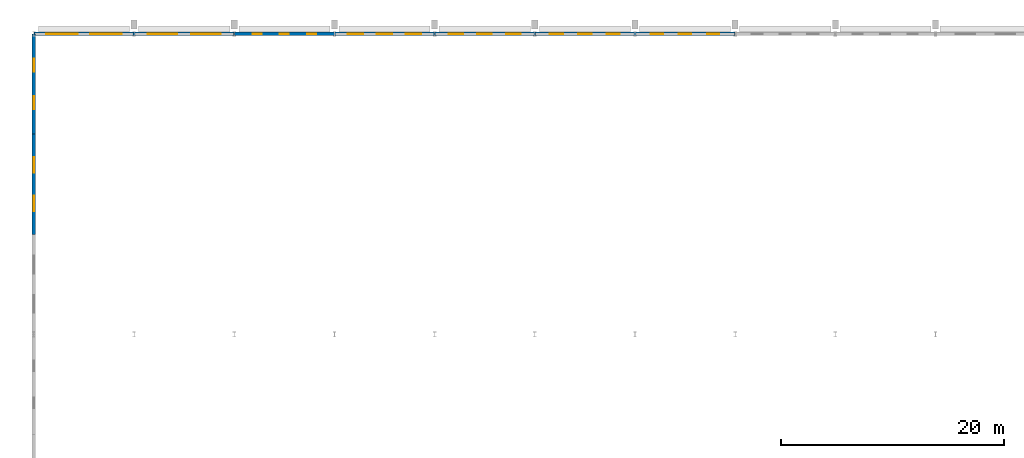
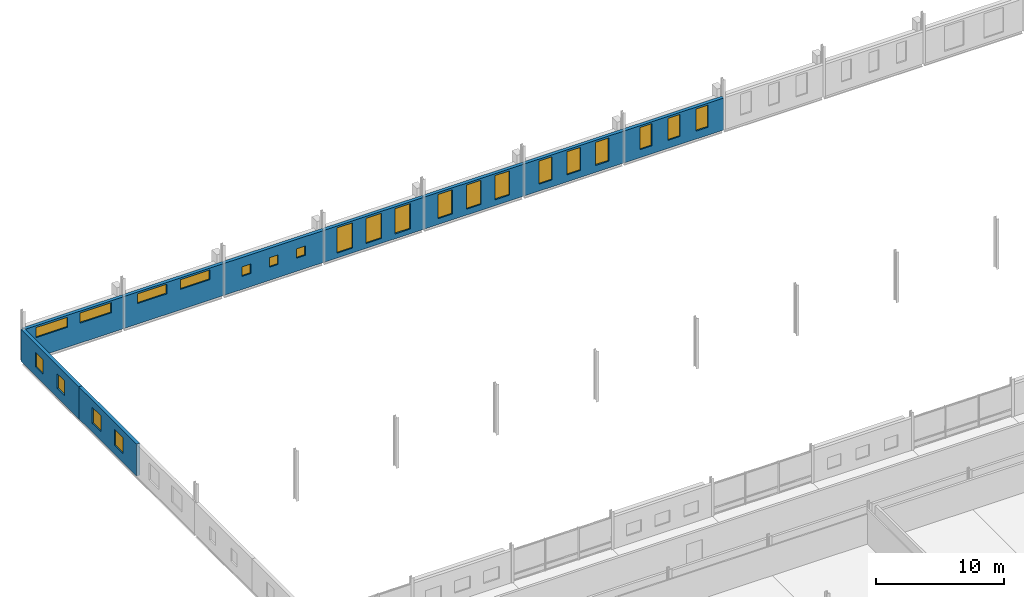
# One storey, part 115 of 132: 23 windows, 9 walls, 23 openings.
"""IFC4 building model written with IfcOpenShell, lengths in metres."""

import ifcopenshell
import ifcopenshell.guid

model = None  # the IFC model being written
_history = None  # IfcOwnerHistory: only IFC2X3 demands one
_inside = {}  # id of a spatial element -> (the spatial element, [elements in it])
_under = {}  # id of a project, library or spatial element -> (it, [spatial elements below it])
_declared = {}  # id of a project -> (the project, [libraries it declares])
_typed = {}  # id of a type object -> (the type object, [elements of that type])
_made_of = {}  # id of a material, layer set ... -> (it, [elements and type objects made of it])


def new_model(schema):
    """Start an empty IFC model of exactly this schema.

    Asked for "IFC4X3", IfcOpenShell would pick the latest addendum, in which some entities
    have other attributes; the version numbers below select the first issue.
    IFC2X3 requires an IfcOwnerHistory on every rooted entity: one is made here for all.
    """
    global model, _history
    if schema == "IFC4X3":
        model = ifcopenshell.file(schema_version=(4, 3, 0, 0))
    else:
        model = ifcopenshell.file(schema=schema)
    _inside.clear()
    _under.clear()
    _declared.clear()
    _typed.clear()
    _made_of.clear()
    _history = None
    if model.schema == "IFC2X3":
        org = make("IfcOrganization", Name="unknown")
        user = make(
            "IfcPersonAndOrganization",
            ThePerson=make("IfcPerson", FamilyName="unknown"),
            TheOrganization=org,
        )
        app = make(
            "IfcApplication",
            ApplicationDeveloper=org,
            Version="unknown",
            ApplicationFullName="unknown",
            ApplicationIdentifier="unknown",
        )
        _history = make(
            "IfcOwnerHistory",
            OwningUser=user,
            OwningApplication=app,
            ChangeAction="ADDED",
            CreationDate=0,
        )
    return model


def make(cls, **values):
    """One entity of the class cls with the attributes given. An attribute that is None is left unset."""
    return model.create_entity(
        cls, **{name: value for name, value in values.items() if value is not None}
    )


def rooted(cls, **values):
    """An entity with a GlobalId (a new one), such as an element, a storey or a relation."""
    return make(cls, GlobalId=ifcopenshell.guid.new(), OwnerHistory=_history, **values)


def si_unit(unit_type, name, prefix=None):
    """IfcSIUnit, for example si_unit("LENGTHUNIT", "METRE", prefix="MILLI")."""
    return make("IfcSIUnit", UnitType=unit_type, Prefix=prefix, Name=name)


def assignment(units):
    """IfcUnitAssignment: the units of a project."""
    return None if units is None else make("IfcUnitAssignment", Units=units)


def point(xyz):
    """IfcCartesianPoint."""
    return None if xyz is None else make("IfcCartesianPoint", Coordinates=xyz)


def direction(xyz):
    """IfcDirection."""
    return None if xyz is None else make("IfcDirection", DirectionRatios=xyz)


def frame(location, z_axis=None, x_axis=None):
    """IfcAxis2Placement3D, a coordinate frame: its origin and axes. An axis left out is left unset."""
    return make(
        "IfcAxis2Placement3D",
        Location=point(location),
        Axis=direction(z_axis),
        RefDirection=direction(x_axis),
    )


def frame_2d(location, x_axis=None):
    """IfcAxis2Placement2D, a coordinate frame in the plane: its origin and x axis."""
    return make(
        "IfcAxis2Placement2D", Location=point(location), RefDirection=direction(x_axis)
    )


def origin():
    """The frame at (0, 0, 0) with its axes left unset."""
    return frame((0.0, 0.0, 0.0))


def place(relative_to, where):
    """IfcLocalPlacement: puts the frame where relative to a parent placement (None: the world)."""
    return make(
        "IfcLocalPlacement", PlacementRelTo=relative_to, RelativePlacement=where
    )


def context(
    kind, dimensions, precision=None, world=None, true_north=None, identifier=None
):
    """IfcGeometricRepresentationContext, for example the 3D "Model" context."""
    return make(
        "IfcGeometricRepresentationContext",
        ContextIdentifier=identifier,
        ContextType=kind,
        CoordinateSpaceDimension=dimensions,
        Precision=precision,
        WorldCoordinateSystem=world,
        TrueNorth=true_north,
    )


def subcontext(parent, identifier, kind, view, scale=None):
    """IfcGeometricRepresentationSubContext, for example "Body" below "Model"."""
    return make(
        "IfcGeometricRepresentationSubContext",
        ContextIdentifier=identifier,
        ContextType=kind,
        ParentContext=parent,
        TargetScale=scale,
        TargetView=view,
    )


def project(units=None, contexts=None):
    """IfcProject with its units and contexts."""
    return rooted(
        "IfcProject",
        Name="project",
        RepresentationContexts=contexts,
        UnitsInContext=assignment(units),
    )


def spatial(cls, under=None, at=None, **own):
    """A site, building, storey or space (cls), placed at a placement, below another one or the project."""
    s = rooted(cls, ObjectPlacement=at, **own)
    if under is not None:
        _under.setdefault(under.id(), (under, []))[1].append(s)
    return s


def profile(cls, at=None, kind="AREA", **sizes):
    """A parametric profile (cls). Its sizes go by their IFC names, for example OverallWidth=200.0."""
    return make(cls, ProfileType=kind, Position=at, **sizes)


def rectangle(**sizes):
    """IfcRectangleProfileDef."""
    return profile("IfcRectangleProfileDef", **sizes)


def extrude(swept, where, along, depth):
    """IfcExtrudedAreaSolid: the profile swept, set in the frame where, extruded along a direction by depth."""
    return make(
        "IfcExtrudedAreaSolid",
        SweptArea=swept,
        Position=where,
        ExtrudedDirection=direction(along),
        Depth=depth,
    )


def shape(context_of_items, identifier, shape_type, items):
    """IfcShapeRepresentation: the items that make up one representation, for example the "Body"."""
    return make(
        "IfcShapeRepresentation",
        ContextOfItems=context_of_items,
        RepresentationIdentifier=identifier,
        RepresentationType=shape_type,
        Items=items,
    )


def material(Name=None, Category=None):
    """IfcMaterial."""
    return make("IfcMaterial", Name=Name, Category=Category)


def layer(
    of_material, thickness, ventilated=None, Name=None, Category=None, Priority=None
):
    """IfcMaterialLayer: one layer of a wall or slab, of a material (None: an air gap)."""
    return make(
        "IfcMaterialLayer",
        Material=of_material,
        LayerThickness=thickness,
        IsVentilated=ventilated,
        Name=Name,
        Category=Category,
        Priority=Priority,
    )


def layer_set(layers, Name=None):
    """IfcMaterialLayerSet."""
    return make("IfcMaterialLayerSet", MaterialLayers=layers, LayerSetName=Name)


def made_of(thing, what):
    """Note that an element or type object is made of a material, layer set ...; save() writes the relation."""
    if what is not None:
        _made_of.setdefault(what.id(), (what, []))[1].append(thing)
    return thing


def type_object(cls, material=None, **own):
    """A type object (cls), such as IfcWallType, which elements share."""
    return made_of(rooted(cls, **own), material)


def element(
    cls,
    number,
    at=None,
    inside=None,
    cuts=None,
    type_object=None,
    material=None,
    context=None,
    identifier="Body",
    shape_type=None,
    held_by="IfcProductDefinitionShape",
    body=None,
    shapes=None,
    **own,
):
    """One element of the class cls, such as IfcWall. Its Tag is "e" and its number.

    at: its placement. inside: the storey or other place that contains it. cuts: it is an
    opening in that element (IfcRelVoidsElement). A single representation is given by context,
    identifier, shape_type and body (its items); several are given by shapes. held_by: the class
    of the entity that holds the representations. save() writes the other relations.
    """
    e = rooted(cls, Tag="e%d" % number, ObjectPlacement=at, **own)
    if body is not None:
        shapes = [shape(context, identifier, shape_type, body)]
    if shapes is not None:
        e.Representation = make(held_by, Representations=shapes)
    if inside is not None:
        _inside.setdefault(inside.id(), (inside, []))[1].append(e)
    if cuts is not None:
        rooted(
            "IfcRelVoidsElement", RelatingBuildingElement=cuts, RelatedOpeningElement=e
        )
    if type_object is not None:
        _typed.setdefault(type_object.id(), (type_object, []))[1].append(e)
    return made_of(e, material)


def fill(opening, filler):
    """IfcRelFillsElement: the door or window that sits in an opening."""
    return rooted(
        "IfcRelFillsElement",
        RelatingOpeningElement=opening,
        RelatedBuildingElement=filler,
    )


def aggregate(whole, parts):
    """IfcRelAggregates: a whole, such as a stair, and the parts it consists of."""
    return rooted("IfcRelAggregates", RelatingObject=whole, RelatedObjects=parts)


def save(model, path):
    """Write the relations noted so far, then the file.

    IfcRelAggregates (storeys below a building ...), IfcRelContainedInSpatialStructure (elements
    in a storey), IfcRelDefinesByType, IfcRelAssociatesMaterial and IfcRelDeclares: one each for
    every whole, place, type object, material and project.
    """
    for whole, parts in _under.values():
        aggregate(whole, parts)
    for where, things in _inside.values():
        rooted(
            "IfcRelContainedInSpatialStructure",
            RelatedElements=things,
            RelatingStructure=where,
        )
    for kind, things in _typed.values():
        rooted("IfcRelDefinesByType", RelatedObjects=things, RelatingType=kind)
    for what, things in _made_of.values():
        rooted("IfcRelAssociatesMaterial", RelatedObjects=things, RelatingMaterial=what)
    for by, libraries in _declared.values():
        rooted("IfcRelDeclares", RelatingContext=by, RelatedDefinitions=libraries)
    model.write(path)


model = new_model("IFC4")

# Units and contexts
model_context = context("Model", 3, precision=1e-05, world=origin(), true_north=direction((0.0, 1.0)))
body_context = subcontext(model_context, "Body", "Model", "MODEL_VIEW")
ifc_project = project(units=[si_unit("LENGTHUNIT", "METRE"), si_unit("AREAUNIT", "SQUARE_METRE"), si_unit("VOLUMEUNIT", "CUBIC_METRE"), si_unit("PLANEANGLEUNIT", "RADIAN"), si_unit("MASSUNIT", "GRAM", prefix="KILO")], contexts=[model_context])

# Site, building, storey
site_placement = place(None, origin())
site = spatial("IfcSite", under=ifc_project, at=site_placement, CompositionType="ELEMENT")
building_placement = place(site_placement, origin())
building = spatial("IfcBuilding", under=site, at=building_placement, Name="Tharagai Park Tramway Depot", CompositionType="ELEMENT")
storey_placement = place(building_placement, frame((0.0, 0.0, 4.800048828125)))
storey = spatial("IfcBuildingStorey", under=building, at=storey_placement, Name="L01", CompositionType="ELEMENT", Elevation=4.800048828125)

# Wall, openings, windows
ifc_material_1 = material(Name="Pressed clay brick", Category="masonry")
ifc_layer = layer(ifc_material_1, 0.300048828125)
ifc_layer_set = layer_set([ifc_layer], Name="Pressed clay brick")
wall_type = type_object("IfcWallType", Name="EW-08", PredefinedType="SOLIDWALL", material=ifc_layer_set)
wall_1_placement = place(storey_placement, frame((0.00390625, 144.0, 0.0), z_axis=(0.0, 0.0, 1.0), x_axis=(1.0, 0.0, 0.0)))
wall_1 = element("IfcWall", 1, at=wall_1_placement, inside=storey, type_object=wall_type, Name="L01 V1 Exterior Masonry Wall EW-08", PredefinedType="SOLIDWALL", context=body_context, shape_type="SweptSolid", body=[
    extrude(rectangle(XDim=8.9921875, YDim=0.300048828125, at=frame_2d((4.49609375, 0.0))), origin(), (0.0, 0.0, 1.0), 3.0419921875),
])
opening_1_placement = place(wall_1_placement, frame((1.096923828125, 0.0, 1.89990234375)))
opening_1 = element("IfcOpeningElement", 2, at=opening_1_placement, cuts=wall_1, Name="Opening WN-14", PredefinedType="OPENING", context=body_context, shape_type="SweptSolid", body=[
    extrude(rectangle(XDim=2.85009765625, YDim=0.9599609375, at=frame_2d((1.425048828125, 0.47998046875))), frame((0.0, 0.159912109375, 0.0), z_axis=(0.0, -1.0, 0.0), x_axis=(1.0, 0.0, 0.0)), (0.0, 0.0, 1.0), 0.320068359375),
])
opening_2_placement = place(wall_1_placement, frame((5.044921875, 0.0, 1.89990234375)))
opening_2 = element("IfcOpeningElement", 3, at=opening_2_placement, cuts=wall_1, Name="Opening WN-14", PredefinedType="OPENING", context=body_context, shape_type="SweptSolid", body=[
    extrude(rectangle(XDim=2.85009765625, YDim=0.9599609375, at=frame_2d((1.425048828125, 0.47998046875))), frame((0.0, 0.159912109375, 0.0), z_axis=(0.0, -1.0, 0.0), x_axis=(1.0, 0.0, 0.0)), (0.0, 0.0, 1.0), 0.320068359375),
])
ifc_material_2 = material(Name="Laminated solar-control glass", Category="glass")
window_type_1 = type_object("IfcWindowType", Name="WN-14", PartitioningType="SINGLE_PANEL", PredefinedType="WINDOW", material=ifc_material_2)
window_1_placement = place(opening_1_placement, origin())
window_1 = element("IfcWindow", 4, at=window_1_placement, inside=storey, type_object=window_type_1, Name="L01 V1 Gothic Lancet Window WN-14", OverallHeight=0.9599609375, OverallWidth=2.85009765625, PartitioningType="SINGLE_PANEL", PredefinedType="WINDOW", context=body_context, shape_type="SweptSolid", body=[
    extrude(rectangle(XDim=2.85009765625, YDim=0.9599609375, at=frame_2d((1.425048828125, 0.47998046875))), frame((0.0, 0.030029296875, 0.0), z_axis=(0.0, -1.0, 0.0), x_axis=(1.0, 0.0, 0.0)), (0.0, 0.0, 1.0), 0.06005859375),
])
fill(opening_1, window_1)
window_2_placement = place(opening_2_placement, origin())
window_2 = element("IfcWindow", 5, at=window_2_placement, inside=storey, type_object=window_type_1, Name="L01 V1 Gothic Lancet Window WN-14", OverallHeight=0.9599609375, OverallWidth=2.85009765625, PartitioningType="SINGLE_PANEL", PredefinedType="WINDOW", context=body_context, shape_type="SweptSolid", body=[
    extrude(rectangle(XDim=2.85009765625, YDim=0.9599609375, at=frame_2d((1.425048828125, 0.47998046875))), frame((0.0, 0.030029296875, 0.0), z_axis=(0.0, -1.0, 0.0), x_axis=(1.0, 0.0, 0.0)), (0.0, 0.0, 1.0), 0.06005859375),
])
fill(opening_2, window_2)

wall_2_placement = place(storey_placement, frame((9.00390625, 144.0, 0.0), z_axis=(0.0, 0.0, 1.0), x_axis=(1.0, 0.0, 0.0)))
wall_2 = element("IfcWall", 6, at=wall_2_placement, inside=storey, type_object=wall_type, Name="L01 V1 Exterior Masonry Wall EW-08", PredefinedType="SOLIDWALL", context=body_context, shape_type="SweptSolid", body=[
    extrude(rectangle(XDim=8.9921875, YDim=0.300048828125, at=frame_2d((4.49609375, 0.0))), origin(), (0.0, 0.0, 1.0), 3.0419921875),
])
opening_3_placement = place(wall_2_placement, frame((1.23095703125, 0.0, 1.949951171875)))
opening_3 = element("IfcOpeningElement", 7, at=opening_3_placement, cuts=wall_2, Name="Opening WN-46", PredefinedType="OPENING", context=body_context, shape_type="SweptSolid", body=[
    extrude(rectangle(XDim=2.64990234375, YDim=0.919921875, at=frame_2d((1.324951171875, 0.4599609375))), frame((0.0, 0.159912109375, 0.0), z_axis=(0.0, -1.0, 0.0), x_axis=(1.0, 0.0, 0.0)), (0.0, 0.0, 1.0), 0.320068359375),
])
opening_4_placement = place(wall_2_placement, frame((5.111083984375, 0.0, 1.949951171875)))
opening_4 = element("IfcOpeningElement", 8, at=opening_4_placement, cuts=wall_2, Name="Opening WN-46", PredefinedType="OPENING", context=body_context, shape_type="SweptSolid", body=[
    extrude(rectangle(XDim=2.64990234375, YDim=0.919921875, at=frame_2d((1.324951171875, 0.4599609375))), frame((0.0, 0.159912109375, 0.0), z_axis=(0.0, -1.0, 0.0), x_axis=(1.0, 0.0, 0.0)), (0.0, 0.0, 1.0), 0.320068359375),
])
window_type_2 = type_object("IfcWindowType", Name="WN-46", PartitioningType="SINGLE_PANEL", PredefinedType="WINDOW", material=ifc_material_2)
window_3_placement = place(opening_3_placement, origin())
window_3 = element("IfcWindow", 9, at=window_3_placement, inside=storey, type_object=window_type_2, Name="L01 V1 Gothic Lancet Window WN-46", OverallHeight=0.919921875, OverallWidth=2.64990234375, PartitioningType="SINGLE_PANEL", PredefinedType="WINDOW", context=body_context, shape_type="SweptSolid", body=[
    extrude(rectangle(XDim=2.64990234375, YDim=0.919921875, at=frame_2d((1.324951171875, 0.4599609375))), frame((0.0, 0.030029296875, 0.0), z_axis=(0.0, -1.0, 0.0), x_axis=(1.0, 0.0, 0.0)), (0.0, 0.0, 1.0), 0.06005859375),
])
fill(opening_3, window_3)
window_4_placement = place(opening_4_placement, origin())
window_4 = element("IfcWindow", 10, at=window_4_placement, inside=storey, type_object=window_type_2, Name="L01 V1 Gothic Lancet Window WN-46", OverallHeight=0.919921875, OverallWidth=2.64990234375, PartitioningType="SINGLE_PANEL", PredefinedType="WINDOW", context=body_context, shape_type="SweptSolid", body=[
    extrude(rectangle(XDim=2.64990234375, YDim=0.919921875, at=frame_2d((1.324951171875, 0.4599609375))), frame((0.0, 0.030029296875, 0.0), z_axis=(0.0, -1.0, 0.0), x_axis=(1.0, 0.0, 0.0)), (0.0, 0.0, 1.0), 0.06005859375),
])
fill(opening_4, window_4)

wall_3_placement = place(storey_placement, frame((18.00390625, 144.0, 0.0), z_axis=(0.0, 0.0, 1.0), x_axis=(1.0, 0.0, 0.0)))
wall_3 = element("IfcWall", 11, at=wall_3_placement, inside=storey, type_object=wall_type, Name="L01 V1 Exterior Masonry Wall EW-08", PredefinedType="SOLIDWALL", context=body_context, shape_type="SweptSolid", body=[
    extrude(rectangle(XDim=8.9921875, YDim=0.300048828125, at=frame_2d((4.49609375, 0.0))), origin(), (0.0, 0.0, 1.0), 3.0419921875),
])
opening_5_placement = place(wall_3_placement, frame((1.64794921875, 0.0, 1.25)))
opening_5 = element("IfcOpeningElement", 12, at=opening_5_placement, cuts=wall_3, Name="Opening WN-30", PredefinedType="OPENING", context=body_context, shape_type="SweptSolid", body=[
    extrude(rectangle(XDim=0.800048828125, YDim=0.89990234375, at=frame_2d((0.39990234375, 0.449951171875))), frame((0.0, 0.159912109375, 0.0), z_axis=(0.0, -1.0, 0.0), x_axis=(1.0, 0.0, 0.0)), (0.0, 0.0, 1.0), 0.320068359375),
])
opening_6_placement = place(wall_3_placement, frame((4.095947265625, 0.0, 1.25)))
opening_6 = element("IfcOpeningElement", 13, at=opening_6_placement, cuts=wall_3, Name="Opening WN-30", PredefinedType="OPENING", context=body_context, shape_type="SweptSolid", body=[
    extrude(rectangle(XDim=0.800048828125, YDim=0.89990234375, at=frame_2d((0.39990234375, 0.449951171875))), frame((0.0, 0.159912109375, 0.0), z_axis=(0.0, -1.0, 0.0), x_axis=(1.0, 0.0, 0.0)), (0.0, 0.0, 1.0), 0.320068359375),
])
opening_7_placement = place(wall_3_placement, frame((6.5439453125, 0.0, 1.25)))
opening_7 = element("IfcOpeningElement", 14, at=opening_7_placement, cuts=wall_3, Name="Opening WN-30", PredefinedType="OPENING", context=body_context, shape_type="SweptSolid", body=[
    extrude(rectangle(XDim=0.800048828125, YDim=0.89990234375, at=frame_2d((0.39990234375, 0.449951171875))), frame((0.0, 0.159912109375, 0.0), z_axis=(0.0, -1.0, 0.0), x_axis=(1.0, 0.0, 0.0)), (0.0, 0.0, 1.0), 0.320068359375),
])
window_type_3 = type_object("IfcWindowType", Name="WN-30", PartitioningType="SINGLE_PANEL", PredefinedType="WINDOW", material=ifc_material_2)
window_5_placement = place(opening_5_placement, origin())
window_5 = element("IfcWindow", 15, at=window_5_placement, inside=storey, type_object=window_type_3, Name="L01 V1 Gothic Lancet Window WN-30", OverallHeight=0.89990234375, OverallWidth=0.800048828125, PartitioningType="SINGLE_PANEL", PredefinedType="WINDOW", context=body_context, shape_type="SweptSolid", body=[
    extrude(rectangle(XDim=0.800048828125, YDim=0.89990234375, at=frame_2d((0.39990234375, 0.449951171875))), frame((0.0, 0.030029296875, 0.0), z_axis=(0.0, -1.0, 0.0), x_axis=(1.0, 0.0, 0.0)), (0.0, 0.0, 1.0), 0.06005859375),
])
fill(opening_5, window_5)
window_6_placement = place(opening_6_placement, origin())
window_6 = element("IfcWindow", 16, at=window_6_placement, inside=storey, type_object=window_type_3, Name="L01 V1 Gothic Lancet Window WN-30", OverallHeight=0.89990234375, OverallWidth=0.800048828125, PartitioningType="SINGLE_PANEL", PredefinedType="WINDOW", context=body_context, shape_type="SweptSolid", body=[
    extrude(rectangle(XDim=0.800048828125, YDim=0.89990234375, at=frame_2d((0.39990234375, 0.449951171875))), frame((0.0, 0.030029296875, 0.0), z_axis=(0.0, -1.0, 0.0), x_axis=(1.0, 0.0, 0.0)), (0.0, 0.0, 1.0), 0.06005859375),
])
fill(opening_6, window_6)
window_7_placement = place(opening_7_placement, origin())
window_7 = element("IfcWindow", 17, at=window_7_placement, inside=storey, type_object=window_type_3, Name="L01 V1 Gothic Lancet Window WN-30", OverallHeight=0.89990234375, OverallWidth=0.800048828125, PartitioningType="SINGLE_PANEL", PredefinedType="WINDOW", context=body_context, shape_type="SweptSolid", body=[
    extrude(rectangle(XDim=0.800048828125, YDim=0.89990234375, at=frame_2d((0.39990234375, 0.449951171875))), frame((0.0, 0.030029296875, 0.0), z_axis=(0.0, -1.0, 0.0), x_axis=(1.0, 0.0, 0.0)), (0.0, 0.0, 1.0), 0.06005859375),
])
fill(opening_7, window_7)

wall_4_placement = place(storey_placement, frame((27.00390625, 144.0, 0.0), z_axis=(0.0, 0.0, 1.0), x_axis=(1.0, 0.0, 0.0)))
wall_4 = element("IfcWall", 18, at=wall_4_placement, inside=storey, type_object=wall_type, Name="L01 V1 Exterior Masonry Wall EW-08", PredefinedType="SOLIDWALL", context=body_context, shape_type="SweptSolid", body=[
    extrude(rectangle(XDim=8.9921875, YDim=0.300048828125, at=frame_2d((4.49609375, 0.0))), origin(), (0.0, 0.0, 1.0), 3.0419921875),
])
opening_8_placement = place(wall_4_placement, frame((1.197998046875, 0.0, 0.4599609375)))
opening_8 = element("IfcOpeningElement", 19, at=opening_8_placement, cuts=wall_4, Name="Opening WN-29", PredefinedType="OPENING", context=body_context, shape_type="SweptSolid", body=[
    extrude(rectangle(XDim=1.39990234375, YDim=2.39990234375, at=frame_2d((0.699951171875, 1.199951171875))), frame((0.0, 0.159912109375, 0.0), z_axis=(0.0, -1.0, 0.0), x_axis=(1.0, 0.0, 0.0)), (0.0, 0.0, 1.0), 0.320068359375),
])
opening_9_placement = place(wall_4_placement, frame((3.7958984375, 0.0, 0.4599609375)))
opening_9 = element("IfcOpeningElement", 20, at=opening_9_placement, cuts=wall_4, Name="Opening WN-29", PredefinedType="OPENING", context=body_context, shape_type="SweptSolid", body=[
    extrude(rectangle(XDim=1.39990234375, YDim=2.39990234375, at=frame_2d((0.699951171875, 1.199951171875))), frame((0.0, 0.159912109375, 0.0), z_axis=(0.0, -1.0, 0.0), x_axis=(1.0, 0.0, 0.0)), (0.0, 0.0, 1.0), 0.320068359375),
])
opening_10_placement = place(wall_4_placement, frame((6.39404296875, 0.0, 0.4599609375)))
opening_10 = element("IfcOpeningElement", 21, at=opening_10_placement, cuts=wall_4, Name="Opening WN-29", PredefinedType="OPENING", context=body_context, shape_type="SweptSolid", body=[
    extrude(rectangle(XDim=1.39990234375, YDim=2.39990234375, at=frame_2d((0.699951171875, 1.199951171875))), frame((0.0, 0.159912109375, 0.0), z_axis=(0.0, -1.0, 0.0), x_axis=(1.0, 0.0, 0.0)), (0.0, 0.0, 1.0), 0.320068359375),
])
window_type_4 = type_object("IfcWindowType", Name="WN-29", PartitioningType="SINGLE_PANEL", PredefinedType="WINDOW", material=ifc_material_2)
window_8_placement = place(opening_8_placement, origin())
window_8 = element("IfcWindow", 22, at=window_8_placement, inside=storey, type_object=window_type_4, Name="L01 V1 Gothic Lancet Window WN-29", OverallHeight=2.39990234375, OverallWidth=1.39990234375, PartitioningType="SINGLE_PANEL", PredefinedType="WINDOW", context=body_context, shape_type="SweptSolid", body=[
    extrude(rectangle(XDim=1.39990234375, YDim=2.39990234375, at=frame_2d((0.699951171875, 1.199951171875))), frame((0.0, 0.030029296875, 0.0), z_axis=(0.0, -1.0, 0.0), x_axis=(1.0, 0.0, 0.0)), (0.0, 0.0, 1.0), 0.06005859375),
])
fill(opening_8, window_8)
window_9_placement = place(opening_9_placement, origin())
window_9 = element("IfcWindow", 23, at=window_9_placement, inside=storey, type_object=window_type_4, Name="L01 V1 Gothic Lancet Window WN-29", OverallHeight=2.39990234375, OverallWidth=1.39990234375, PartitioningType="SINGLE_PANEL", PredefinedType="WINDOW", context=body_context, shape_type="SweptSolid", body=[
    extrude(rectangle(XDim=1.39990234375, YDim=2.39990234375, at=frame_2d((0.699951171875, 1.199951171875))), frame((0.0, 0.030029296875, 0.0), z_axis=(0.0, -1.0, 0.0), x_axis=(1.0, 0.0, 0.0)), (0.0, 0.0, 1.0), 0.06005859375),
])
fill(opening_9, window_9)
window_10_placement = place(opening_10_placement, origin())
window_10 = element("IfcWindow", 24, at=window_10_placement, inside=storey, type_object=window_type_4, Name="L01 V1 Gothic Lancet Window WN-29", OverallHeight=2.39990234375, OverallWidth=1.39990234375, PartitioningType="SINGLE_PANEL", PredefinedType="WINDOW", context=body_context, shape_type="SweptSolid", body=[
    extrude(rectangle(XDim=1.39990234375, YDim=2.39990234375, at=frame_2d((0.699951171875, 1.199951171875))), frame((0.0, 0.030029296875, 0.0), z_axis=(0.0, -1.0, 0.0), x_axis=(1.0, 0.0, 0.0)), (0.0, 0.0, 1.0), 0.06005859375),
])
fill(opening_10, window_10)

wall_5_placement = place(storey_placement, frame((36.00390625, 144.0, 0.0), z_axis=(0.0, 0.0, 1.0), x_axis=(1.0, 0.0, 0.0)))
wall_5 = element("IfcWall", 25, at=wall_5_placement, inside=storey, type_object=wall_type, Name="L01 V1 Exterior Masonry Wall EW-08", PredefinedType="SOLIDWALL", context=body_context, shape_type="SweptSolid", body=[
    extrude(rectangle(XDim=8.9921875, YDim=0.300048828125, at=frame_2d((4.49609375, 0.0))), origin(), (0.0, 0.0, 1.0), 3.0419921875),
])
opening_11_placement = place(wall_5_placement, frame((1.27294921875, 0.0, 0.56005859375)))
opening_11 = element("IfcOpeningElement", 26, at=opening_11_placement, cuts=wall_5, Name="Opening WN-27", PredefinedType="OPENING", context=body_context, shape_type="SweptSolid", body=[
    extrude(rectangle(XDim=1.300048828125, YDim=2.300048828125, at=frame_2d((0.64990234375, 1.14990234375))), frame((0.0, 0.159912109375, 0.0), z_axis=(0.0, -1.0, 0.0), x_axis=(1.0, 0.0, 0.0)), (0.0, 0.0, 1.0), 0.320068359375),
])
opening_12_placement = place(wall_5_placement, frame((3.845947265625, 0.0, 0.56005859375)))
opening_12 = element("IfcOpeningElement", 27, at=opening_12_placement, cuts=wall_5, Name="Opening WN-27", PredefinedType="OPENING", context=body_context, shape_type="SweptSolid", body=[
    extrude(rectangle(XDim=1.300048828125, YDim=2.300048828125, at=frame_2d((0.64990234375, 1.14990234375))), frame((0.0, 0.159912109375, 0.0), z_axis=(0.0, -1.0, 0.0), x_axis=(1.0, 0.0, 0.0)), (0.0, 0.0, 1.0), 0.320068359375),
])
opening_13_placement = place(wall_5_placement, frame((6.4189453125, 0.0, 0.56005859375)))
opening_13 = element("IfcOpeningElement", 28, at=opening_13_placement, cuts=wall_5, Name="Opening WN-27", PredefinedType="OPENING", context=body_context, shape_type="SweptSolid", body=[
    extrude(rectangle(XDim=1.300048828125, YDim=2.300048828125, at=frame_2d((0.64990234375, 1.14990234375))), frame((0.0, 0.159912109375, 0.0), z_axis=(0.0, -1.0, 0.0), x_axis=(1.0, 0.0, 0.0)), (0.0, 0.0, 1.0), 0.320068359375),
])
window_type_5 = type_object("IfcWindowType", Name="WN-27", PartitioningType="SINGLE_PANEL", PredefinedType="WINDOW", material=ifc_material_2)
window_11_placement = place(opening_11_placement, origin())
window_11 = element("IfcWindow", 29, at=window_11_placement, inside=storey, type_object=window_type_5, Name="L01 V1 Gothic Lancet Window WN-27", OverallHeight=2.300048828125, OverallWidth=1.300048828125, PartitioningType="SINGLE_PANEL", PredefinedType="WINDOW", context=body_context, shape_type="SweptSolid", body=[
    extrude(rectangle(XDim=1.300048828125, YDim=2.300048828125, at=frame_2d((0.64990234375, 1.14990234375))), frame((0.0, 0.030029296875, 0.0), z_axis=(0.0, -1.0, 0.0), x_axis=(1.0, 0.0, 0.0)), (0.0, 0.0, 1.0), 0.06005859375),
])
fill(opening_11, window_11)
window_12_placement = place(opening_12_placement, origin())
window_12 = element("IfcWindow", 30, at=window_12_placement, inside=storey, type_object=window_type_5, Name="L01 V1 Gothic Lancet Window WN-27", OverallHeight=2.300048828125, OverallWidth=1.300048828125, PartitioningType="SINGLE_PANEL", PredefinedType="WINDOW", context=body_context, shape_type="SweptSolid", body=[
    extrude(rectangle(XDim=1.300048828125, YDim=2.300048828125, at=frame_2d((0.64990234375, 1.14990234375))), frame((0.0, 0.030029296875, 0.0), z_axis=(0.0, -1.0, 0.0), x_axis=(1.0, 0.0, 0.0)), (0.0, 0.0, 1.0), 0.06005859375),
])
fill(opening_12, window_12)
window_13_placement = place(opening_13_placement, origin())
window_13 = element("IfcWindow", 31, at=window_13_placement, inside=storey, type_object=window_type_5, Name="L01 V1 Gothic Lancet Window WN-27", OverallHeight=2.300048828125, OverallWidth=1.300048828125, PartitioningType="SINGLE_PANEL", PredefinedType="WINDOW", context=body_context, shape_type="SweptSolid", body=[
    extrude(rectangle(XDim=1.300048828125, YDim=2.300048828125, at=frame_2d((0.64990234375, 1.14990234375))), frame((0.0, 0.030029296875, 0.0), z_axis=(0.0, -1.0, 0.0), x_axis=(1.0, 0.0, 0.0)), (0.0, 0.0, 1.0), 0.06005859375),
])
fill(opening_13, window_13)

wall_6_placement = place(storey_placement, frame((45.00390625, 144.0, 0.0), z_axis=(0.0, 0.0, 1.0), x_axis=(1.0, 0.0, 0.0)))
wall_6 = element("IfcWall", 32, at=wall_6_placement, inside=storey, type_object=wall_type, Name="L01 V1 Exterior Masonry Wall EW-08", PredefinedType="SOLIDWALL", context=body_context, shape_type="SweptSolid", body=[
    extrude(rectangle(XDim=8.9921875, YDim=0.300048828125, at=frame_2d((4.49609375, 0.0))), origin(), (0.0, 0.0, 1.0), 3.0419921875),
])
opening_14_placement = place(wall_6_placement, frame((1.347900390625, 0.0, 0.659912109375)))
opening_14 = element("IfcOpeningElement", 33, at=opening_14_placement, cuts=wall_6, Name="Opening WN-15", PredefinedType="OPENING", context=body_context, shape_type="SweptSolid", body=[
    extrude(rectangle(XDim=1.199951171875, YDim=2.199951171875, at=frame_2d((0.60009765625, 1.10009765625))), frame((0.0, 0.159912109375, 0.0), z_axis=(0.0, -1.0, 0.0), x_axis=(1.0, 0.0, 0.0)), (0.0, 0.0, 1.0), 0.320068359375),
])
opening_15_placement = place(wall_6_placement, frame((3.89599609375, 0.0, 0.659912109375)))
opening_15 = element("IfcOpeningElement", 34, at=opening_15_placement, cuts=wall_6, Name="Opening WN-15", PredefinedType="OPENING", context=body_context, shape_type="SweptSolid", body=[
    extrude(rectangle(XDim=1.199951171875, YDim=2.199951171875, at=frame_2d((0.60009765625, 1.10009765625))), frame((0.0, 0.159912109375, 0.0), z_axis=(0.0, -1.0, 0.0), x_axis=(1.0, 0.0, 0.0)), (0.0, 0.0, 1.0), 0.320068359375),
])
opening_16_placement = place(wall_6_placement, frame((6.444091796875, 0.0, 0.659912109375)))
opening_16 = element("IfcOpeningElement", 35, at=opening_16_placement, cuts=wall_6, Name="Opening WN-15", PredefinedType="OPENING", context=body_context, shape_type="SweptSolid", body=[
    extrude(rectangle(XDim=1.199951171875, YDim=2.199951171875, at=frame_2d((0.60009765625, 1.10009765625))), frame((0.0, 0.159912109375, 0.0), z_axis=(0.0, -1.0, 0.0), x_axis=(1.0, 0.0, 0.0)), (0.0, 0.0, 1.0), 0.320068359375),
])
window_type_6 = type_object("IfcWindowType", Name="WN-15", PartitioningType="SINGLE_PANEL", PredefinedType="WINDOW", material=ifc_material_2)
window_14_placement = place(opening_14_placement, origin())
window_14 = element("IfcWindow", 36, at=window_14_placement, inside=storey, type_object=window_type_6, Name="L01 V1 Gothic Lancet Window WN-15", OverallHeight=2.199951171875, OverallWidth=1.199951171875, PartitioningType="SINGLE_PANEL", PredefinedType="WINDOW", context=body_context, shape_type="SweptSolid", body=[
    extrude(rectangle(XDim=1.199951171875, YDim=2.199951171875, at=frame_2d((0.60009765625, 1.10009765625))), frame((0.0, 0.030029296875, 0.0), z_axis=(0.0, -1.0, 0.0), x_axis=(1.0, 0.0, 0.0)), (0.0, 0.0, 1.0), 0.06005859375),
])
fill(opening_14, window_14)
window_15_placement = place(opening_15_placement, origin())
window_15 = element("IfcWindow", 37, at=window_15_placement, inside=storey, type_object=window_type_6, Name="L01 V1 Gothic Lancet Window WN-15", OverallHeight=2.199951171875, OverallWidth=1.199951171875, PartitioningType="SINGLE_PANEL", PredefinedType="WINDOW", context=body_context, shape_type="SweptSolid", body=[
    extrude(rectangle(XDim=1.199951171875, YDim=2.199951171875, at=frame_2d((0.60009765625, 1.10009765625))), frame((0.0, 0.030029296875, 0.0), z_axis=(0.0, -1.0, 0.0), x_axis=(1.0, 0.0, 0.0)), (0.0, 0.0, 1.0), 0.06005859375),
])
fill(opening_15, window_15)
window_16_placement = place(opening_16_placement, origin())
window_16 = element("IfcWindow", 38, at=window_16_placement, inside=storey, type_object=window_type_6, Name="L01 V1 Gothic Lancet Window WN-15", OverallHeight=2.199951171875, OverallWidth=1.199951171875, PartitioningType="SINGLE_PANEL", PredefinedType="WINDOW", context=body_context, shape_type="SweptSolid", body=[
    extrude(rectangle(XDim=1.199951171875, YDim=2.199951171875, at=frame_2d((0.60009765625, 1.10009765625))), frame((0.0, 0.030029296875, 0.0), z_axis=(0.0, -1.0, 0.0), x_axis=(1.0, 0.0, 0.0)), (0.0, 0.0, 1.0), 0.06005859375),
])
fill(opening_16, window_16)

wall_7_placement = place(storey_placement, frame((54.00390625, 144.0, 0.0), z_axis=(0.0, 0.0, 1.0), x_axis=(1.0, 0.0, 0.0)))
wall_7 = element("IfcWall", 39, at=wall_7_placement, inside=storey, type_object=wall_type, Name="L01 V1 Exterior Masonry Wall EW-08", PredefinedType="SOLIDWALL", context=body_context, shape_type="SweptSolid", body=[
    extrude(rectangle(XDim=8.9921875, YDim=0.300048828125, at=frame_2d((4.49609375, 0.0))), origin(), (0.0, 0.0, 1.0), 3.0419921875),
])
opening_17_placement = place(wall_7_placement, frame((1.423095703125, 0.0, 0.760009765625)))
opening_17 = element("IfcOpeningElement", 40, at=opening_17_placement, cuts=wall_7, Name="Opening WN-10", PredefinedType="OPENING", context=body_context, shape_type="SweptSolid", body=[
    extrude(rectangle(XDim=1.10009765625, YDim=2.10009765625, at=frame_2d((0.550048828125, 1.050048828125))), frame((0.0, 0.159912109375, 0.0), z_axis=(0.0, -1.0, 0.0), x_axis=(1.0, 0.0, 0.0)), (0.0, 0.0, 1.0), 0.320068359375),
])
opening_18_placement = place(wall_7_placement, frame((3.946044921875, 0.0, 0.760009765625)))
opening_18 = element("IfcOpeningElement", 41, at=opening_18_placement, cuts=wall_7, Name="Opening WN-10", PredefinedType="OPENING", context=body_context, shape_type="SweptSolid", body=[
    extrude(rectangle(XDim=1.10009765625, YDim=2.10009765625, at=frame_2d((0.550048828125, 1.050048828125))), frame((0.0, 0.159912109375, 0.0), z_axis=(0.0, -1.0, 0.0), x_axis=(1.0, 0.0, 0.0)), (0.0, 0.0, 1.0), 0.320068359375),
])
opening_19_placement = place(wall_7_placement, frame((6.468994140625, 0.0, 0.760009765625)))
opening_19 = element("IfcOpeningElement", 42, at=opening_19_placement, cuts=wall_7, Name="Opening WN-10", PredefinedType="OPENING", context=body_context, shape_type="SweptSolid", body=[
    extrude(rectangle(XDim=1.10009765625, YDim=2.10009765625, at=frame_2d((0.550048828125, 1.050048828125))), frame((0.0, 0.159912109375, 0.0), z_axis=(0.0, -1.0, 0.0), x_axis=(1.0, 0.0, 0.0)), (0.0, 0.0, 1.0), 0.320068359375),
])
window_type_7 = type_object("IfcWindowType", Name="WN-10", PartitioningType="SINGLE_PANEL", PredefinedType="WINDOW", material=ifc_material_2)
window_17_placement = place(opening_17_placement, origin())
window_17 = element("IfcWindow", 43, at=window_17_placement, inside=storey, type_object=window_type_7, Name="L01 V1 Gothic Lancet Window WN-10", OverallHeight=2.10009765625, OverallWidth=1.10009765625, PartitioningType="SINGLE_PANEL", PredefinedType="WINDOW", context=body_context, shape_type="SweptSolid", body=[
    extrude(rectangle(XDim=1.10009765625, YDim=2.10009765625, at=frame_2d((0.550048828125, 1.050048828125))), frame((0.0, 0.030029296875, 0.0), z_axis=(0.0, -1.0, 0.0), x_axis=(1.0, 0.0, 0.0)), (0.0, 0.0, 1.0), 0.06005859375),
])
fill(opening_17, window_17)
window_18_placement = place(opening_18_placement, origin())
window_18 = element("IfcWindow", 44, at=window_18_placement, inside=storey, type_object=window_type_7, Name="L01 V1 Gothic Lancet Window WN-10", OverallHeight=2.10009765625, OverallWidth=1.10009765625, PartitioningType="SINGLE_PANEL", PredefinedType="WINDOW", context=body_context, shape_type="SweptSolid", body=[
    extrude(rectangle(XDim=1.10009765625, YDim=2.10009765625, at=frame_2d((0.550048828125, 1.050048828125))), frame((0.0, 0.030029296875, 0.0), z_axis=(0.0, -1.0, 0.0), x_axis=(1.0, 0.0, 0.0)), (0.0, 0.0, 1.0), 0.06005859375),
])
fill(opening_18, window_18)
window_19_placement = place(opening_19_placement, origin())
window_19 = element("IfcWindow", 45, at=window_19_placement, inside=storey, type_object=window_type_7, Name="L01 V1 Gothic Lancet Window WN-10", OverallHeight=2.10009765625, OverallWidth=1.10009765625, PartitioningType="SINGLE_PANEL", PredefinedType="WINDOW", context=body_context, shape_type="SweptSolid", body=[
    extrude(rectangle(XDim=1.10009765625, YDim=2.10009765625, at=frame_2d((0.550048828125, 1.050048828125))), frame((0.0, 0.030029296875, 0.0), z_axis=(0.0, -1.0, 0.0), x_axis=(1.0, 0.0, 0.0)), (0.0, 0.0, 1.0), 0.06005859375),
])
fill(opening_19, window_19)

wall_8_placement = place(storey_placement, frame((0.0, 126.0, 0.0), z_axis=(0.0, 0.0, 1.0), x_axis=(0.0, 1.0, 0.0)))
wall_8 = element("IfcWall", 46, at=wall_8_placement, inside=storey, type_object=wall_type, Name="L01 V1 Exterior Masonry Wall EW-08", PredefinedType="SOLIDWALL", context=body_context, shape_type="SweptSolid", body=[
    extrude(rectangle(XDim=9.0, YDim=0.300048828125, at=frame_2d((4.5, 0.0))), origin(), (0.0, 0.0, 1.0), 3.0419921875),
])
opening_20_placement = place(wall_8_placement, frame((2.080078125, 0.0, 0.85009765625)))
opening_20 = element("IfcOpeningElement", 47, at=opening_20_placement, cuts=wall_8, Name="Opening WN-12", PredefinedType="OPENING", context=body_context, shape_type="SweptSolid", body=[
    extrude(rectangle(XDim=1.3798828125, YDim=1.52001953125, at=frame_2d((0.68994140625, 0.760009765625))), frame((0.0, 0.159912109375, 0.0), z_axis=(0.0, -1.0, 0.0), x_axis=(1.0, 0.0, 0.0)), (0.0, 0.0, 1.0), 0.320068359375),
])
opening_21_placement = place(wall_8_placement, frame((5.5400390625, 0.0, 0.85009765625)))
opening_21 = element("IfcOpeningElement", 48, at=opening_21_placement, cuts=wall_8, Name="Opening WN-12", PredefinedType="OPENING", context=body_context, shape_type="SweptSolid", body=[
    extrude(rectangle(XDim=1.3798828125, YDim=1.52001953125, at=frame_2d((0.68994140625, 0.760009765625))), frame((0.0, 0.159912109375, 0.0), z_axis=(0.0, -1.0, 0.0), x_axis=(1.0, 0.0, 0.0)), (0.0, 0.0, 1.0), 0.320068359375),
])
window_type_8 = type_object("IfcWindowType", Name="WN-12", PartitioningType="SINGLE_PANEL", PredefinedType="WINDOW", material=ifc_material_2)
window_20_placement = place(opening_20_placement, origin())
window_20 = element("IfcWindow", 49, at=window_20_placement, inside=storey, type_object=window_type_8, Name="L01 V1 Side Lancet Window WN-12", OverallHeight=1.52001953125, OverallWidth=1.3798828125, PartitioningType="SINGLE_PANEL", PredefinedType="WINDOW", context=body_context, shape_type="SweptSolid", body=[
    extrude(rectangle(XDim=1.3798828125, YDim=1.52001953125, at=frame_2d((0.68994140625, 0.760009765625))), frame((0.0, 0.030029296875, 0.0), z_axis=(0.0, -1.0, 0.0), x_axis=(1.0, 0.0, 0.0)), (0.0, 0.0, 1.0), 0.06005859375),
])
fill(opening_20, window_20)
window_21_placement = place(opening_21_placement, origin())
window_21 = element("IfcWindow", 50, at=window_21_placement, inside=storey, type_object=window_type_8, Name="L01 V1 Side Lancet Window WN-12", OverallHeight=1.52001953125, OverallWidth=1.3798828125, PartitioningType="SINGLE_PANEL", PredefinedType="WINDOW", context=body_context, shape_type="SweptSolid", body=[
    extrude(rectangle(XDim=1.3798828125, YDim=1.52001953125, at=frame_2d((0.68994140625, 0.760009765625))), frame((0.0, 0.030029296875, 0.0), z_axis=(0.0, -1.0, 0.0), x_axis=(1.0, 0.0, 0.0)), (0.0, 0.0, 1.0), 0.06005859375),
])
fill(opening_21, window_21)

wall_9_placement = place(storey_placement, frame((0.0, 135.0, 0.0), z_axis=(0.0, 0.0, 1.0), x_axis=(0.0, 1.0, 0.0)))
wall_9 = element("IfcWall", 51, at=wall_9_placement, inside=storey, type_object=wall_type, Name="L01 V1 Exterior Masonry Wall EW-08", PredefinedType="SOLIDWALL", context=body_context, shape_type="SweptSolid", body=[
    extrude(rectangle(XDim=8.99609375, YDim=0.300048828125, at=frame_2d((4.498046875, 0.0))), origin(), (0.0, 0.0, 1.0), 3.0419921875),
])
opening_22_placement = place(wall_9_placement, frame((2.22509765625, 0.0, 0.85009765625)))
opening_22 = element("IfcOpeningElement", 52, at=opening_22_placement, cuts=wall_9, Name="Opening WN-42", PredefinedType="OPENING", context=body_context, shape_type="SweptSolid", body=[
    extrude(rectangle(XDim=1.159912109375, YDim=1.39990234375, at=frame_2d((0.580078125, 0.699951171875))), frame((0.0, 0.159912109375, 0.0), z_axis=(0.0, -1.0, 0.0), x_axis=(1.0, 0.0, 0.0)), (0.0, 0.0, 1.0), 0.320068359375),
])
opening_23_placement = place(wall_9_placement, frame((5.611083984375, 0.0, 0.85009765625)))
opening_23 = element("IfcOpeningElement", 53, at=opening_23_placement, cuts=wall_9, Name="Opening WN-42", PredefinedType="OPENING", context=body_context, shape_type="SweptSolid", body=[
    extrude(rectangle(XDim=1.159912109375, YDim=1.39990234375, at=frame_2d((0.580078125, 0.699951171875))), frame((0.0, 0.159912109375, 0.0), z_axis=(0.0, -1.0, 0.0), x_axis=(1.0, 0.0, 0.0)), (0.0, 0.0, 1.0), 0.320068359375),
])
window_type_9 = type_object("IfcWindowType", Name="WN-42", PartitioningType="SINGLE_PANEL", PredefinedType="WINDOW", material=ifc_material_2)
window_22_placement = place(opening_22_placement, origin())
window_22 = element("IfcWindow", 54, at=window_22_placement, inside=storey, type_object=window_type_9, Name="L01 V1 Side Lancet Window WN-42", OverallHeight=1.39990234375, OverallWidth=1.159912109375, PartitioningType="SINGLE_PANEL", PredefinedType="WINDOW", context=body_context, shape_type="SweptSolid", body=[
    extrude(rectangle(XDim=1.159912109375, YDim=1.39990234375, at=frame_2d((0.580078125, 0.699951171875))), frame((0.0, 0.030029296875, 0.0), z_axis=(0.0, -1.0, 0.0), x_axis=(1.0, 0.0, 0.0)), (0.0, 0.0, 1.0), 0.06005859375),
])
fill(opening_22, window_22)
window_23_placement = place(opening_23_placement, origin())
window_23 = element("IfcWindow", 55, at=window_23_placement, inside=storey, type_object=window_type_9, Name="L01 V1 Side Lancet Window WN-42", OverallHeight=1.39990234375, OverallWidth=1.159912109375, PartitioningType="SINGLE_PANEL", PredefinedType="WINDOW", context=body_context, shape_type="SweptSolid", body=[
    extrude(rectangle(XDim=1.159912109375, YDim=1.39990234375, at=frame_2d((0.580078125, 0.699951171875))), frame((0.0, 0.030029296875, 0.0), z_axis=(0.0, -1.0, 0.0), x_axis=(1.0, 0.0, 0.0)), (0.0, 0.0, 1.0), 0.06005859375),
])
fill(opening_23, window_23)

save(model, "model.ifc")
